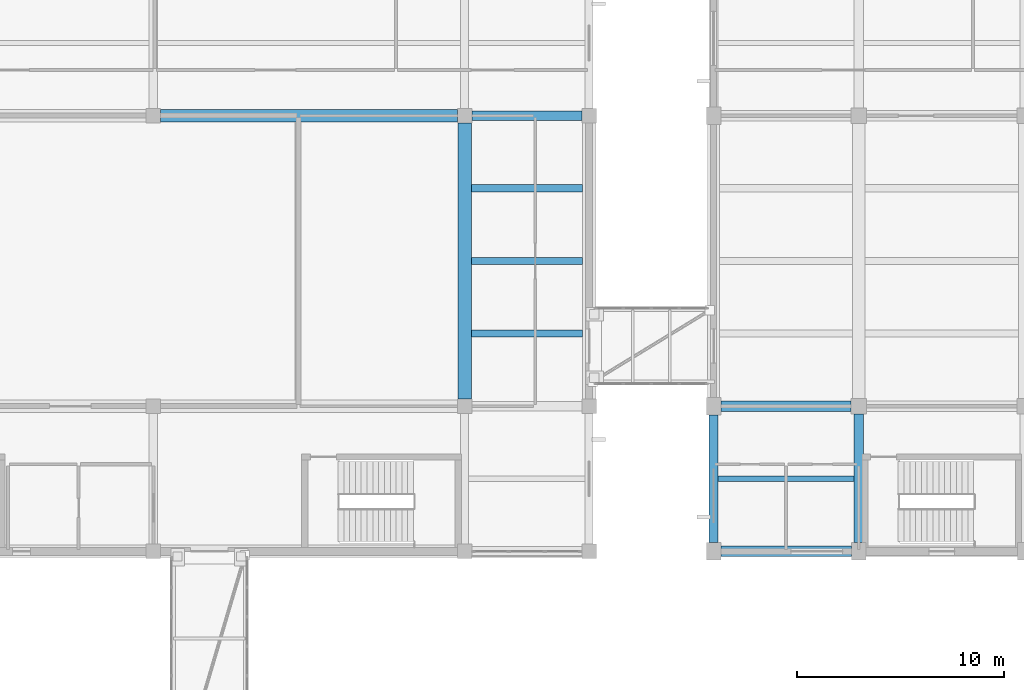
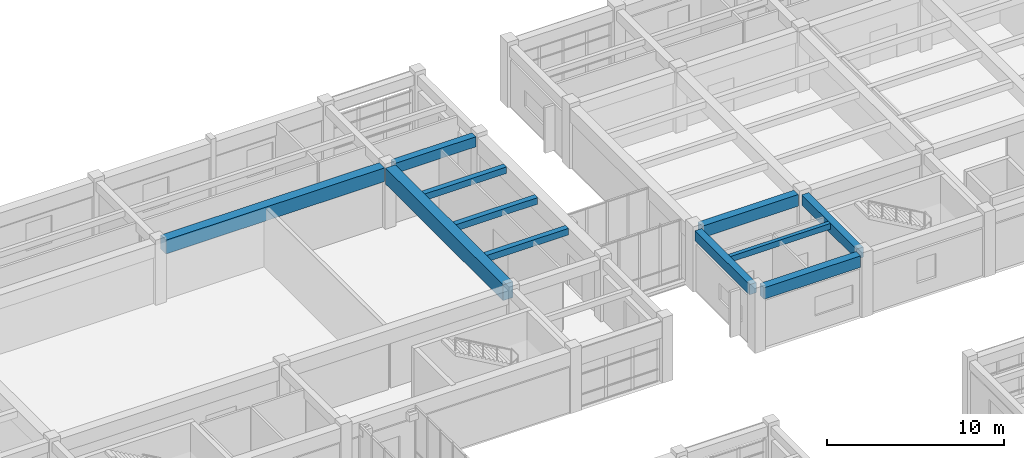
# One storey, part 14 of 70: 11 beams.
"""IFC4 building model written with IfcOpenShell, lengths in metres."""

from ifc_helpers import new_model, si_unit, direction, frame, origin, origin_2d, place, context, subcontext, project, spatial, rectangle, extrude, material, material_profile, profile_set, type_object, element, save


model = new_model("IFC4")

# Units and contexts
model_context = context("Model", 3, precision=1e-05, world=origin(), true_north=direction((0.0, 1.0)))
body_context = subcontext(model_context, "Body", "Model", "MODEL_VIEW")
ifc_project = project(units=[si_unit("LENGTHUNIT", "METRE"), si_unit("AREAUNIT", "SQUARE_METRE"), si_unit("VOLUMEUNIT", "CUBIC_METRE"), si_unit("PLANEANGLEUNIT", "RADIAN"), si_unit("MASSUNIT", "GRAM", prefix="KILO")], contexts=[model_context])

# Site, building, storey
site_placement = place(None, origin())
site = spatial("IfcSite", under=ifc_project, at=site_placement, CompositionType="ELEMENT")
building_placement = place(site_placement, origin())
building = spatial("IfcBuilding", under=site, at=building_placement, Name="Naurynzar Civic Courthouse", CompositionType="ELEMENT")
storey_placement = place(building_placement, frame((0.0, 0.0, 5.39990234375)))
storey = spatial("IfcBuildingStorey", under=building, at=storey_placement, Name="L02", CompositionType="ELEMENT", Elevation=5.39990234375)

# Beams
ifc_material_1 = material(Name="Concrete C40/50", Category="concrete")
ifc_material_profile_1 = material_profile(ifc_material_1, rectangle(XDim=0.25, YDim=0.39990234375, at=origin_2d()), Name="RCB 250x400")
ifc_profile_set_1 = profile_set([ifc_material_profile_1], Name="Concrete C40/50")
beam_type_1 = type_object("IfcBeamType", Name="BM-JST-250x400", PredefinedType="JOIST", material=ifc_profile_set_1)
beam_1_placement = place(storey_placement, frame((62.22509765625, 47.5, 4.0), z_axis=(1.0, 0.0, 0.0), x_axis=(0.0, 1.0, 0.0)))
element("IfcBeam", 1, at=beam_1_placement, inside=storey, type_object=beam_type_1, Name="V2 secondary rib 526 L02", PredefinedType="JOIST", context=body_context, shape_type="SweptSolid", body=[
    extrude(rectangle(XDim=0.25, YDim=0.39990234375, at=origin_2d()), origin(), (0.0, 0.0, 1.0), 6.5498046875),
])
ifc_material_2 = material(Name="Concrete C40/50", Category="concrete")
ifc_material_profile_2 = material_profile(ifc_material_2, rectangle(XDim=0.60009765625, YDim=0.949951171875, at=origin_2d()), Name="PTB 600x950")
ifc_profile_set_2 = profile_set([ifc_material_profile_2], Name="Concrete C40/50")
beam_type_2 = type_object("IfcBeamType", Name="BM-PT-600x950", PredefinedType="T_BEAM", material=ifc_profile_set_2)
beam_2_placement = place(storey_placement, frame((35.35009765625, 65.0, 3.755126953125), z_axis=(1.0, 0.0, 0.0), x_axis=(0.0, 1.0, 0.0)))
element("IfcBeam", 2, at=beam_2_placement, inside=storey, type_object=beam_type_2, Name="V1 beam X-128 L02", PredefinedType="T_BEAM", context=body_context, shape_type="SweptSolid", body=[
    extrude(rectangle(XDim=0.60009765625, YDim=0.949951171875, at=origin_2d()), origin(), (0.0, 0.0, 1.0), 14.2998046875),
])
ifc_material_3 = material(Name="Concrete C40/50", Category="concrete")
ifc_material_profile_3 = material_profile(ifc_material_3, rectangle(XDim=0.64990234375, YDim=1.10009765625, at=origin_2d()), Name="PTB 650x1100")
ifc_profile_set_3 = profile_set([ifc_material_profile_3], Name="Concrete C40/50")
beam_type_3 = type_object("IfcBeamType", Name="BM-PT-650x1100", PredefinedType="T_BEAM", material=ifc_profile_set_3)
beam_3_placement = place(storey_placement, frame((50.0, 51.35009765625, 3.68017578125), z_axis=(0.0, 1.0, 0.0), x_axis=(-1.0, 0.0, 0.0)))
element("IfcBeam", 3, at=beam_3_placement, inside=storey, type_object=beam_type_3, Name="V1 girder Y-147 L02", PredefinedType="T_BEAM", context=body_context, shape_type="SweptSolid", body=[
    extrude(rectangle(XDim=0.64990234375, YDim=1.10009765625, at=origin_2d()), origin(), (0.0, 0.0, 1.0), 13.2998046875),
])
ifc_material_4 = material(Name="Concrete C40/50", Category="concrete")
ifc_material_profile_4 = material_profile(ifc_material_4, rectangle(XDim=0.35009765625, YDim=0.449951171875, at=origin_2d()), Name="RCB 350x450")
ifc_profile_set_4 = profile_set([ifc_material_profile_4], Name="Concrete C40/50")
beam_type_4 = type_object("IfcBeamType", Name="BM-RC-350x450", PredefinedType="BEAM", material=ifc_profile_set_4)
for number, where, z_axis, x_axis, name in (
    (4, (50.324951171875, 54.5, 4.005126953125), (1.0, 0.0, 0.0), (0.0, 1.0, 0.0), "V1 secondary rib 159 L02"),
    (5, (50.324951171875, 58.0, 4.005126953125), (1.0, 0.0, 0.0), (0.0, 1.0, 0.0), "V1 secondary rib 160 L02"),
    (6, (50.324951171875, 61.5, 4.005126953125), (1.0, 0.0, 0.0), (0.0, 1.0, 0.0), "V1 secondary rib 161 L02"),
):
    element("IfcBeam", number, at=place(storey_placement, frame(where, z_axis=z_axis, x_axis=x_axis)), inside=storey, type_object=beam_type_4, Name=name, PredefinedType="BEAM", context=body_context, shape_type="SweptSolid", body=[
        extrude(rectangle(XDim=0.35009765625, YDim=0.449951171875, at=origin_2d()), origin(), (0.0, 0.0, 1.0), 5.35009765625),
    ])
ifc_material_5 = material(Name="Concrete C40/50", Category="concrete")
ifc_material_profile_5 = material_profile(ifc_material_5, rectangle(XDim=0.449951171875, YDim=0.699951171875, at=origin_2d()), Name="RCB 450x700")
ifc_profile_set_5 = profile_set([ifc_material_profile_5], Name="Concrete C40/50")
beam_type_5 = type_object("IfcBeamType", Name="BM-RC-450x700", PredefinedType="BEAM", material=ifc_profile_set_5)
beam_4_placement = place(storey_placement, frame((50.35009765625, 65.0, 3.880126953125), z_axis=(1.0, 0.0, 0.0), x_axis=(0.0, 1.0, 0.0)))
element("IfcBeam", 7, at=beam_4_placement, inside=storey, type_object=beam_type_5, Name="V1 beam X-129 L02", PredefinedType="BEAM", context=body_context, shape_type="SweptSolid", body=[
    extrude(rectangle(XDim=0.449951171875, YDim=0.699951171875, at=origin_2d()), origin(), (0.0, 0.0, 1.0), 5.2998046875),
])
beam_5_placement = place(storey_placement, frame((62.0, 44.425048828125, 3.85009765625), z_axis=(0.0, 1.0, 0.0), x_axis=(-1.0, 0.0, 0.0)))
element("IfcBeam", 8, at=beam_5_placement, inside=storey, type_object=beam_type_5, Name="V2 girder Y-499 L02", PredefinedType="BEAM", context=body_context, shape_type="SweptSolid", body=[
    extrude(rectangle(XDim=0.449951171875, YDim=0.699951171875, at=origin_2d()), origin(), (0.0, 0.0, 1.0), 6.14990234375),
])
beam_6_placement = place(storey_placement, frame((69.0, 44.425048828125, 3.85009765625), z_axis=(0.0, 1.0, 0.0), x_axis=(-1.0, 0.0, 0.0)))
element("IfcBeam", 9, at=beam_6_placement, inside=storey, type_object=beam_type_5, Name="V2 girder Y-502 L02", PredefinedType="BEAM", context=body_context, shape_type="SweptSolid", body=[
    extrude(rectangle(XDim=0.449951171875, YDim=0.699951171875, at=origin_2d()), origin(), (0.0, 0.0, 1.0), 6.199951171875),
])
ifc_material_6 = material(Name="Concrete C40/50", Category="concrete")
ifc_material_profile_6 = material_profile(ifc_material_6, rectangle(XDim=0.5, YDim=0.800048828125, at=origin_2d()), Name="RCB 500x800")
ifc_profile_set_6 = profile_set([ifc_material_profile_6], Name="Concrete C40/50")
beam_type_6 = type_object("IfcBeamType", Name="BM-RC-500x800", PredefinedType="BEAM", material=ifc_profile_set_6)
beam_7_placement = place(storey_placement, frame((62.35009765625, 44.0, 3.800048828125), z_axis=(1.0, 0.0, 0.0), x_axis=(0.0, 1.0, 0.0)))
element("IfcBeam", 10, at=beam_7_placement, inside=storey, type_object=beam_type_6, Name="V2 beam X-467 L02", PredefinedType="BEAM", context=body_context, shape_type="SweptSolid", body=[
    extrude(rectangle(XDim=0.5, YDim=0.800048828125, at=origin_2d()), origin(), (0.0, 0.0, 1.0), 6.2998046875),
])
beam_8_placement = place(storey_placement, frame((62.35009765625, 51.0, 3.800048828125), z_axis=(1.0, 0.0, 0.0), x_axis=(0.0, 1.0, 0.0)))
element("IfcBeam", 11, at=beam_8_placement, inside=storey, type_object=beam_type_6, Name="V2 beam X-475 L02", PredefinedType="BEAM", context=body_context, shape_type="SweptSolid", body=[
    extrude(rectangle(XDim=0.5, YDim=0.800048828125, at=origin_2d()), origin(), (0.0, 0.0, 1.0), 6.27490234375),
])

save(model, "model.ifc")
